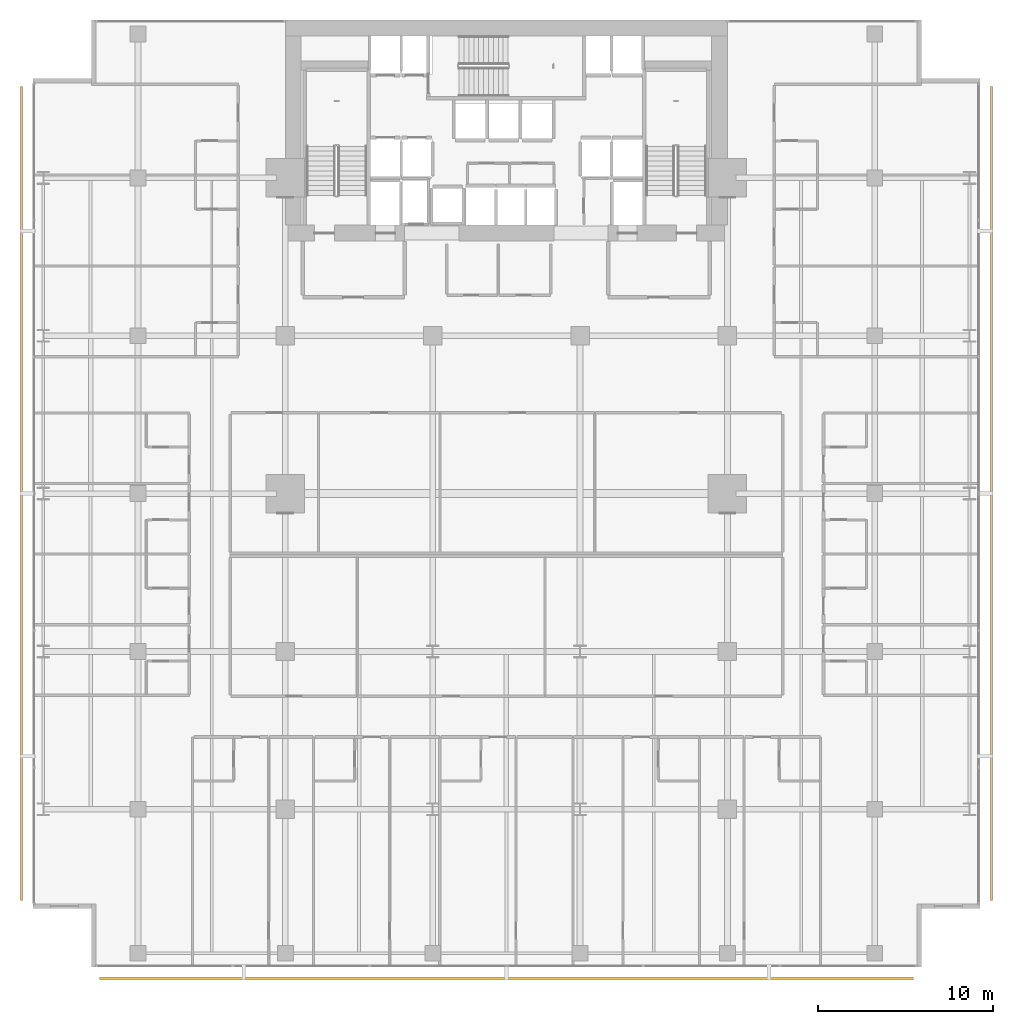
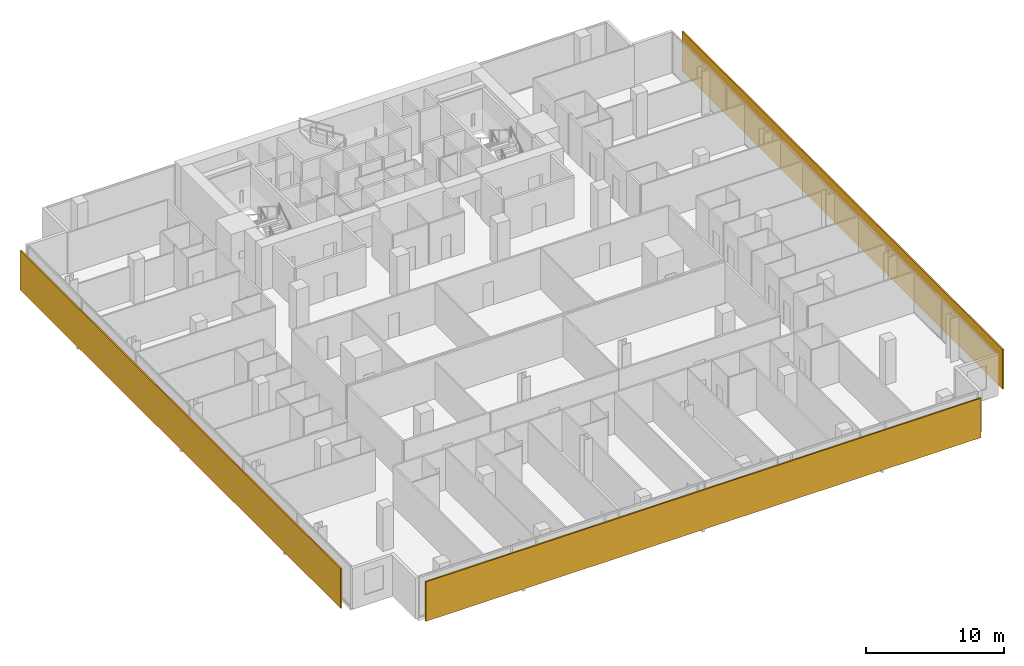
# One storey, part 40 of 41: 3 shading devices.
"""IFC4 building model written with IfcOpenShell, lengths in metres."""

from ifc_helpers import new_model, si_unit, direction, frame, origin, origin_2d, place, context, subcontext, project, spatial, rectangle, extrude, material, layer, layer_set, type_object, element, save


model = new_model("IFC4")

# Units and contexts
model_context = context("Model", 3, precision=1e-05, world=origin(), true_north=direction((0.0, 1.0)))
body_context = subcontext(model_context, "Body", "Model", "MODEL_VIEW")
ifc_project = project(units=[si_unit("LENGTHUNIT", "METRE"), si_unit("AREAUNIT", "SQUARE_METRE"), si_unit("VOLUMEUNIT", "CUBIC_METRE"), si_unit("PLANEANGLEUNIT", "RADIAN"), si_unit("MASSUNIT", "GRAM", prefix="KILO")], contexts=[model_context])

# Site, building, storey
site_placement = place(None, origin())
site = spatial("IfcSite", under=ifc_project, at=site_placement, CompositionType="ELEMENT")
building_placement = place(site_placement, origin())
building = spatial("IfcBuilding", under=site, at=building_placement, Name="Maruvema Waterfront Hotel and Observation Tower", CompositionType="ELEMENT")
storey_placement = place(building_placement, frame((0.0, 0.0, 84.699951171875)))
storey = spatial("IfcBuildingStorey", under=building, at=storey_placement, Name="L20", CompositionType="ELEMENT", Elevation=84.699951171875)

# Shading devices
ifc_material = material(Name="Honed travertine stone and anodised architectural bronze", Category="masonry")
ifc_layer = layer(ifc_material, 0.1201171875, Name="Ventilated Outer Skin Cobogo Stone-and-Bronze Screen 120 mm")
ifc_layer_set = layer_set([ifc_layer], Name="Honed travertine stone and anodised architectural bronze")
shading_device_type = type_object("IfcShadingDeviceType", Name="Ventilated Outer Skin Cobogo Stone-and-Bronze Screen 120 mm", PredefinedType="USERDEFINED", material=ifc_layer_set)
for number, where, z_axis, x_axis, name in (
    (1, (37.800048828125, -0.64990234375, 0.06005859375), (0.0, 0.0, 1.0), (1.0, 0.0, 0.0), "L20 Ventilated Double-Skin Outer Cobogo Screen OS-L20-S"),
    (2, (65.449951171875, 27.0, 0.06005859375), (0.0, 0.0, 1.0), (0.0, 1.0, 0.0), "L20 Ventilated Double-Skin Outer Cobogo Screen OS-L20-E"),
    (3, (10.14990234375, 27.0, 0.06005859375), (0.0, 0.0, 1.0), (0.0, -1.0, 0.0), "L20 Ventilated Double-Skin Outer Cobogo Screen OS-L20-W"),
):
    element("IfcShadingDevice", number, at=place(storey_placement, frame(where, z_axis=z_axis, x_axis=x_axis)), inside=storey, type_object=shading_device_type, Name=name, ObjectType="OUTER SKIN SCREEN", PredefinedType="USERDEFINED", context=body_context, shape_type="SweptSolid", body=[
        extrude(rectangle(XDim=46.39990234375, YDim=0.1201171875, at=origin_2d()), origin(), (0.0, 0.0, 1.0), 3.489990234375),
    ])

save(model, "model.ifc")
